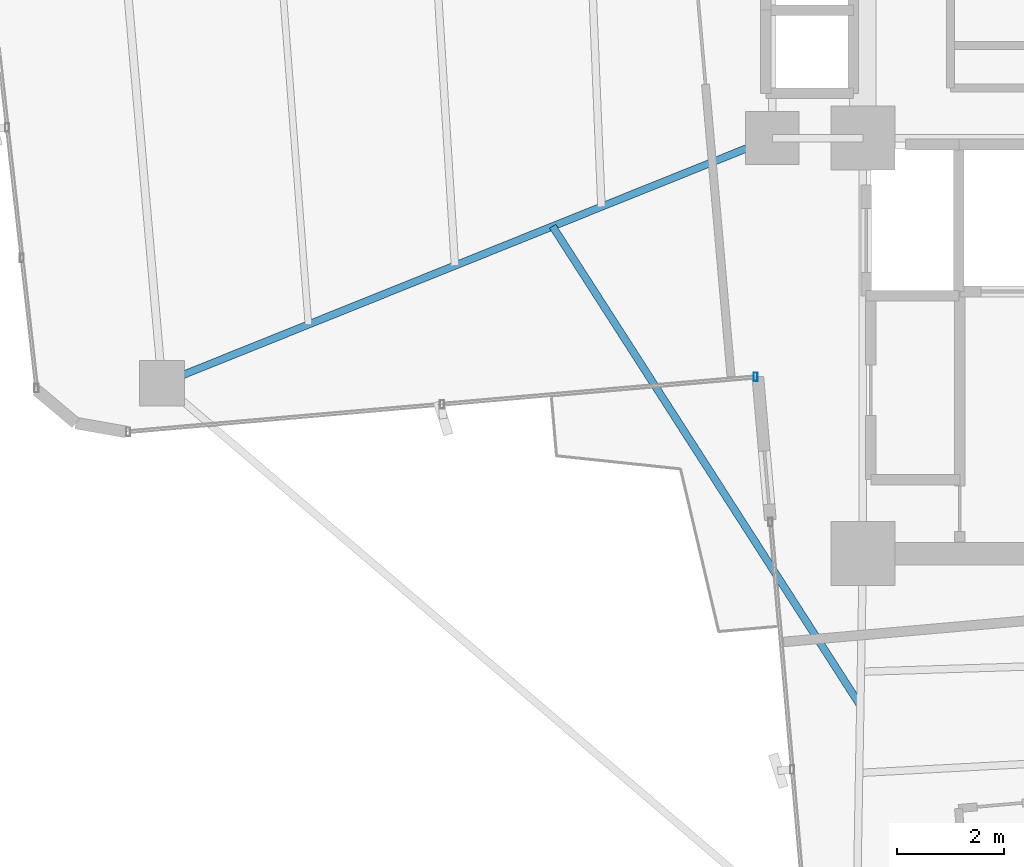
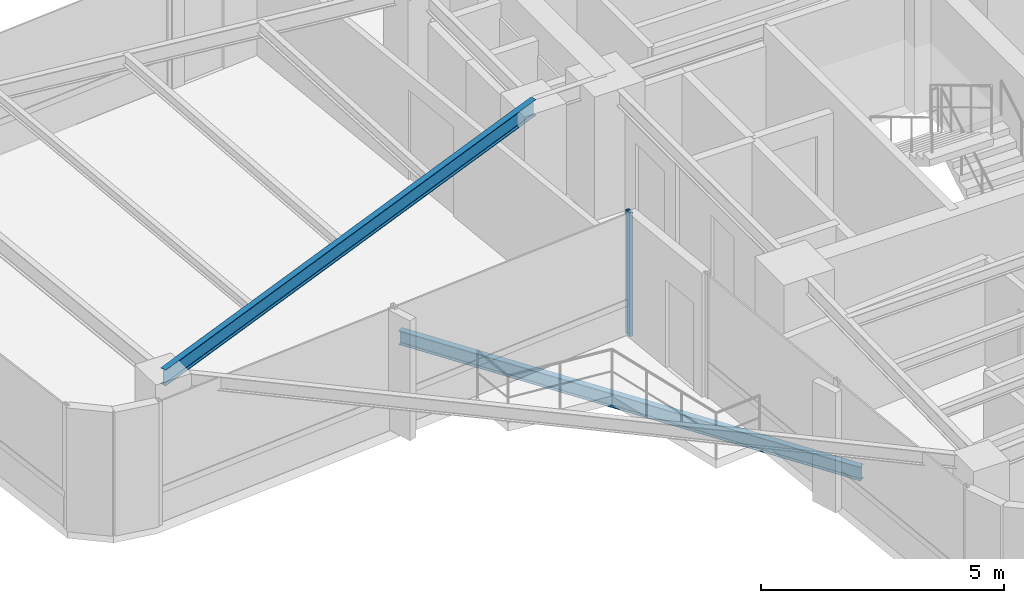
# One storey, part 5 of 24: 2 beams, 1 member, 1 element without a shape of its own.
"""IFC4 building model written with IfcOpenShell, lengths in metres."""

import ifcopenshell
import ifcopenshell.guid

model = None  # the IFC model being written
_history = None  # IfcOwnerHistory: only IFC2X3 demands one
_inside = {}  # id of a spatial element -> (the spatial element, [elements in it])
_under = {}  # id of a project, library or spatial element -> (it, [spatial elements below it])
_declared = {}  # id of a project -> (the project, [libraries it declares])
_typed = {}  # id of a type object -> (the type object, [elements of that type])
_made_of = {}  # id of a material, layer set ... -> (it, [elements and type objects made of it])


def new_model(schema):
    """Start an empty IFC model of exactly this schema.

    Asked for "IFC4X3", IfcOpenShell would pick the latest addendum, in which some entities
    have other attributes; the version numbers below select the first issue.
    IFC2X3 requires an IfcOwnerHistory on every rooted entity: one is made here for all.
    """
    global model, _history
    if schema == "IFC4X3":
        model = ifcopenshell.file(schema_version=(4, 3, 0, 0))
    else:
        model = ifcopenshell.file(schema=schema)
    _inside.clear()
    _under.clear()
    _declared.clear()
    _typed.clear()
    _made_of.clear()
    _history = None
    if model.schema == "IFC2X3":
        org = make("IfcOrganization", Name="unknown")
        user = make(
            "IfcPersonAndOrganization",
            ThePerson=make("IfcPerson", FamilyName="unknown"),
            TheOrganization=org,
        )
        app = make(
            "IfcApplication",
            ApplicationDeveloper=org,
            Version="unknown",
            ApplicationFullName="unknown",
            ApplicationIdentifier="unknown",
        )
        _history = make(
            "IfcOwnerHistory",
            OwningUser=user,
            OwningApplication=app,
            ChangeAction="ADDED",
            CreationDate=0,
        )
    return model


def make(cls, **values):
    """One entity of the class cls with the attributes given. An attribute that is None is left unset."""
    return model.create_entity(
        cls, **{name: value for name, value in values.items() if value is not None}
    )


def rooted(cls, **values):
    """An entity with a GlobalId (a new one), such as an element, a storey or a relation."""
    return make(cls, GlobalId=ifcopenshell.guid.new(), OwnerHistory=_history, **values)


def si_unit(unit_type, name, prefix=None):
    """IfcSIUnit, for example si_unit("LENGTHUNIT", "METRE", prefix="MILLI")."""
    return make("IfcSIUnit", UnitType=unit_type, Prefix=prefix, Name=name)


def assignment(units):
    """IfcUnitAssignment: the units of a project."""
    return None if units is None else make("IfcUnitAssignment", Units=units)


def point(xyz):
    """IfcCartesianPoint."""
    return None if xyz is None else make("IfcCartesianPoint", Coordinates=xyz)


def direction(xyz):
    """IfcDirection."""
    return None if xyz is None else make("IfcDirection", DirectionRatios=xyz)


def frame(location, z_axis=None, x_axis=None):
    """IfcAxis2Placement3D, a coordinate frame: its origin and axes. An axis left out is left unset."""
    return make(
        "IfcAxis2Placement3D",
        Location=point(location),
        Axis=direction(z_axis),
        RefDirection=direction(x_axis),
    )


def frame_2d(location, x_axis=None):
    """IfcAxis2Placement2D, a coordinate frame in the plane: its origin and x axis."""
    return make(
        "IfcAxis2Placement2D", Location=point(location), RefDirection=direction(x_axis)
    )


def origin():
    """The frame at (0, 0, 0) with its axes left unset."""
    return frame((0.0, 0.0, 0.0))


def origin_2d():
    """The frame at (0, 0) in the plane with its x axis left unset."""
    return frame_2d((0.0, 0.0))


def place(relative_to, where):
    """IfcLocalPlacement: puts the frame where relative to a parent placement (None: the world)."""
    return make(
        "IfcLocalPlacement", PlacementRelTo=relative_to, RelativePlacement=where
    )


def context(
    kind, dimensions, precision=None, world=None, true_north=None, identifier=None
):
    """IfcGeometricRepresentationContext, for example the 3D "Model" context."""
    return make(
        "IfcGeometricRepresentationContext",
        ContextIdentifier=identifier,
        ContextType=kind,
        CoordinateSpaceDimension=dimensions,
        Precision=precision,
        WorldCoordinateSystem=world,
        TrueNorth=true_north,
    )


def subcontext(parent, identifier, kind, view, scale=None):
    """IfcGeometricRepresentationSubContext, for example "Body" below "Model"."""
    return make(
        "IfcGeometricRepresentationSubContext",
        ContextIdentifier=identifier,
        ContextType=kind,
        ParentContext=parent,
        TargetScale=scale,
        TargetView=view,
    )


def project(units=None, contexts=None):
    """IfcProject with its units and contexts."""
    return rooted(
        "IfcProject",
        Name="project",
        RepresentationContexts=contexts,
        UnitsInContext=assignment(units),
    )


def spatial(cls, under=None, at=None, **own):
    """A site, building, storey or space (cls), placed at a placement, below another one or the project."""
    s = rooted(cls, ObjectPlacement=at, **own)
    if under is not None:
        _under.setdefault(under.id(), (under, []))[1].append(s)
    return s


def profile(cls, at=None, kind="AREA", **sizes):
    """A parametric profile (cls). Its sizes go by their IFC names, for example OverallWidth=200.0."""
    return make(cls, ProfileType=kind, Position=at, **sizes)


def hollow_rectangle(**sizes):
    """IfcRectangleHollowProfileDef."""
    return profile("IfcRectangleHollowProfileDef", **sizes)


def i_section(**sizes):
    """IfcIShapeProfileDef."""
    return profile("IfcIShapeProfileDef", **sizes)


def extrude(swept, where, along, depth):
    """IfcExtrudedAreaSolid: the profile swept, set in the frame where, extruded along a direction by depth."""
    return make(
        "IfcExtrudedAreaSolid",
        SweptArea=swept,
        Position=where,
        ExtrudedDirection=direction(along),
        Depth=depth,
    )


def shape(context_of_items, identifier, shape_type, items):
    """IfcShapeRepresentation: the items that make up one representation, for example the "Body"."""
    return make(
        "IfcShapeRepresentation",
        ContextOfItems=context_of_items,
        RepresentationIdentifier=identifier,
        RepresentationType=shape_type,
        Items=items,
    )


def source(mapping_origin, context_of_items, identifier, shape_type, items):
    """IfcRepresentationMap: a shape defined once, which mapped items show again and again."""
    return make(
        "IfcRepresentationMap",
        MappingOrigin=mapping_origin,
        MappedRepresentation=shape(context_of_items, identifier, shape_type, items),
    )


def transform(
    local_origin,
    x_axis=None,
    y_axis=None,
    z_axis=None,
    scale=None,
    scale2=None,
    scale3=None,
    uniform=True,
):
    """IfcCartesianTransformationOperator3D, or its non-uniform kind. x_axis, y_axis, z_axis: its Axis1, 2, 3."""
    if uniform:
        return make(
            "IfcCartesianTransformationOperator3D",
            Axis1=direction(x_axis),
            Axis2=direction(y_axis),
            LocalOrigin=point(local_origin),
            Scale=scale,
            Axis3=direction(z_axis),
        )
    return make(
        "IfcCartesianTransformationOperator3DnonUniform",
        Axis1=direction(x_axis),
        Axis2=direction(y_axis),
        LocalOrigin=point(local_origin),
        Scale=scale,
        Axis3=direction(z_axis),
        Scale2=scale2,
        Scale3=scale3,
    )


def mapped(mapping_source, mapping_target):
    """IfcMappedItem: shows the shape of a source again, moved by a transform."""
    return make(
        "IfcMappedItem", MappingSource=mapping_source, MappingTarget=mapping_target
    )


def material(Name=None, Category=None):
    """IfcMaterial."""
    return make("IfcMaterial", Name=Name, Category=Category)


def material_profile(
    of_material, cross_section, Name=None, Category=None, Priority=None
):
    """IfcMaterialProfile: a cross section and its material."""
    return make(
        "IfcMaterialProfile",
        Name=Name,
        Material=of_material,
        Profile=cross_section,
        Priority=Priority,
        Category=Category,
    )


def profile_set(profiles, Name=None, composite=None):
    """IfcMaterialProfileSet."""
    return make(
        "IfcMaterialProfileSet",
        Name=Name,
        MaterialProfiles=profiles,
        CompositeProfile=composite,
    )


def made_of(thing, what):
    """Note that an element or type object is made of a material, layer set ...; save() writes the relation."""
    if what is not None:
        _made_of.setdefault(what.id(), (what, []))[1].append(thing)
    return thing


def type_object(cls, material=None, **own):
    """A type object (cls), such as IfcWallType, which elements share."""
    return made_of(rooted(cls, **own), material)


def element(
    cls,
    number,
    at=None,
    inside=None,
    cuts=None,
    type_object=None,
    material=None,
    context=None,
    identifier="Body",
    shape_type=None,
    held_by="IfcProductDefinitionShape",
    body=None,
    shapes=None,
    **own,
):
    """One element of the class cls, such as IfcWall. Its Tag is "e" and its number.

    at: its placement. inside: the storey or other place that contains it. cuts: it is an
    opening in that element (IfcRelVoidsElement). A single representation is given by context,
    identifier, shape_type and body (its items); several are given by shapes. held_by: the class
    of the entity that holds the representations. save() writes the other relations.
    """
    e = rooted(cls, Tag="e%d" % number, ObjectPlacement=at, **own)
    if body is not None:
        shapes = [shape(context, identifier, shape_type, body)]
    if shapes is not None:
        e.Representation = make(held_by, Representations=shapes)
    if inside is not None:
        _inside.setdefault(inside.id(), (inside, []))[1].append(e)
    if cuts is not None:
        rooted(
            "IfcRelVoidsElement", RelatingBuildingElement=cuts, RelatedOpeningElement=e
        )
    if type_object is not None:
        _typed.setdefault(type_object.id(), (type_object, []))[1].append(e)
    return made_of(e, material)


def aggregate(whole, parts):
    """IfcRelAggregates: a whole, such as a stair, and the parts it consists of."""
    return rooted("IfcRelAggregates", RelatingObject=whole, RelatedObjects=parts)


def save(model, path):
    """Write the relations noted so far, then the file.

    IfcRelAggregates (storeys below a building ...), IfcRelContainedInSpatialStructure (elements
    in a storey), IfcRelDefinesByType, IfcRelAssociatesMaterial and IfcRelDeclares: one each for
    every whole, place, type object, material and project.
    """
    for whole, parts in _under.values():
        aggregate(whole, parts)
    for where, things in _inside.values():
        rooted(
            "IfcRelContainedInSpatialStructure",
            RelatedElements=things,
            RelatingStructure=where,
        )
    for kind, things in _typed.values():
        rooted("IfcRelDefinesByType", RelatedObjects=things, RelatingType=kind)
    for what, things in _made_of.values():
        rooted("IfcRelAssociatesMaterial", RelatedObjects=things, RelatingMaterial=what)
    for by, libraries in _declared.values():
        rooted("IfcRelDeclares", RelatingContext=by, RelatedDefinitions=libraries)
    model.write(path)


model = new_model("IFC4")

# Units and contexts
model_context = context("Model", 3, precision=1e-05, world=origin(), true_north=direction((0.0, 1.0)))
body_context = subcontext(model_context, "Body", "Model", "MODEL_VIEW")
ifc_project = project(units=[si_unit("LENGTHUNIT", "METRE"), si_unit("AREAUNIT", "SQUARE_METRE"), si_unit("VOLUMEUNIT", "CUBIC_METRE"), si_unit("PLANEANGLEUNIT", "RADIAN"), si_unit("MASSUNIT", "GRAM", prefix="KILO")], contexts=[model_context])

# Site, building, storey
site_placement = place(None, origin())
site = spatial("IfcSite", under=ifc_project, at=site_placement, CompositionType="ELEMENT")
building_placement = place(site_placement, origin())
building = spatial("IfcBuilding", under=site, at=building_placement, Name="Sahyath Konkavel Grand Hotel", CompositionType="ELEMENT")
storey_placement = place(building_placement, frame((0.0, 0.0, 160.64990234375)))
storey = spatial("IfcBuildingStorey", under=building, at=storey_placement, Name="L44", CompositionType="ELEMENT", Elevation=160.64990234375)

# Beam
ifc_material_1 = material(Name="Steel E350", Category="steel")
ifc_material_profile_1 = material_profile(ifc_material_1, i_section(OverallWidth=0.139892578125, OverallDepth=0.39990234375, WebThickness=0.0087890625, FlangeThickness=0.01611328125, FilletRadius=0.013916015625, at=origin_2d()), Name="ISMB 400")
ifc_profile_set_1 = profile_set([ifc_material_profile_1], Name="Steel E350")
beam_type_1 = type_object("IfcBeamType", Name="BM-ISMB400", PredefinedType="BEAM", material=ifc_profile_set_1)
shared_shape_1 = source(origin(), body_context, "Body", "SweptSolid", [
    extrude(i_section(OverallWidth=0.139892578125, OverallDepth=0.39990234375, WebThickness=0.0087890625, FlangeThickness=0.01611328125, FilletRadius=0.013916015625, at=origin_2d()), origin(), (0.0, 0.0, 1.0), 12.344970703125),
])
beam_1_placement = place(storey_placement, frame((-5.5, -2.39990234375, 2.91015625), z_axis=(-0.927837014101, -0.372985891507, 0.0), x_axis=(0.372985891507, -0.927837014101, 0.0)))
element("IfcBeam", 1, at=beam_1_placement, inside=storey, type_object=beam_type_1, Name="L44 Cruciform Radial Girder WB", PredefinedType="BEAM", context=body_context, shape_type="MappedRepresentation", body=[
    mapped(shared_shape_1, transform((0.0, 0.0, 0.0), scale=1.0)),
])

# Curtain wall, member
ifc_material_2 = material(Name="Anodised Bronze Aluminium & Low-E Glazing", Category="aluminium")
curtain_wall_type = type_object("IfcCurtainWallType", Name="CW-ZONE3", PredefinedType="NOTDEFINED", material=ifc_material_2)
curtain_wall_placement = place(storey_placement, origin())
curtain_wall = element("IfcCurtainWall", 2, at=curtain_wall_placement, inside=storey, type_object=curtain_wall_type, Name="L44 Unitised Curtain Wall F23", PredefinedType="NOTDEFINED")
ifc_material_3 = material(Name="Anodised Bronze Aluminium", Category="aluminium")
ifc_material_profile_2 = material_profile(ifc_material_3, hollow_rectangle(XDim=0.080078125, YDim=0.159912109375, WallThickness=0.006103515625, at=origin_2d()), Name="RHS 160x80x6")
ifc_profile_set_2 = profile_set([ifc_material_profile_2], Name="Anodised Bronze Aluminium")
member_type = type_object("IfcMemberType", Name="CW-MUL-160", PredefinedType="MULLION", material=ifc_profile_set_2)
shared_shape_2 = source(origin(), body_context, "Body", "SweptSolid", [
    extrude(hollow_rectangle(XDim=0.080078125, YDim=0.159912109375, WallThickness=0.006103515625, at=origin_2d()), origin(), (0.0, 0.0, 1.0), 3.110107421875),
])
member_placement = place(storey_placement, frame((-5.812255859375, -6.8828125, 0.0), z_axis=(0.0, 0.0, 1.0), x_axis=(1.0, 0.0, 0.0)))
member = element("IfcMember", 3, at=member_placement, type_object=member_type, Name="L44 Curtain Wall Mullion F23-2", PredefinedType="MULLION", context=body_context, shape_type="MappedRepresentation", body=[
    mapped(shared_shape_2, transform((0.0, 0.0, 0.0), scale=1.0)),
])
aggregate(curtain_wall, [member])

# Beam
ifc_material_profile_3 = material_profile(ifc_material_1, i_section(OverallWidth=0.139892578125, OverallDepth=0.35009765625, WebThickness=0.008056640625, FlangeThickness=0.01416015625, FilletRadius=0.013916015625, at=origin_2d()), Name="ISMB 350")
ifc_profile_set_3 = profile_set([ifc_material_profile_3], Name="Steel E350")
beam_type_2 = type_object("IfcBeamType", Name="BM-BALC-CANT", PredefinedType="BEAM", material=ifc_profile_set_3)
shared_shape_3 = source(origin(), body_context, "Body", "SweptSolid", [
    extrude(i_section(OverallWidth=0.139892578125, OverallDepth=0.35009765625, WebThickness=0.008056640625, FlangeThickness=0.01416015625, FilletRadius=0.013916015625, at=origin_2d()), origin(), (0.0, 0.0, 1.0), 10.685302734375),
])
beam_2_placement = place(storey_placement, frame((-9.62353515625, -4.0576171875, -0.414794921875), z_axis=(0.540404181048, -0.841405562797, 0.0), x_axis=(0.841405562797, 0.540404181048, 0.0)))
element("IfcBeam", 4, at=beam_2_placement, inside=storey, type_object=beam_type_2, Name="L44 Balcony Cantilever Support Beam SW", PredefinedType="BEAM", context=body_context, shape_type="MappedRepresentation", body=[
    mapped(shared_shape_3, transform((0.0, 0.0, 0.0), scale=1.0)),
])

save(model, "model.ifc")
